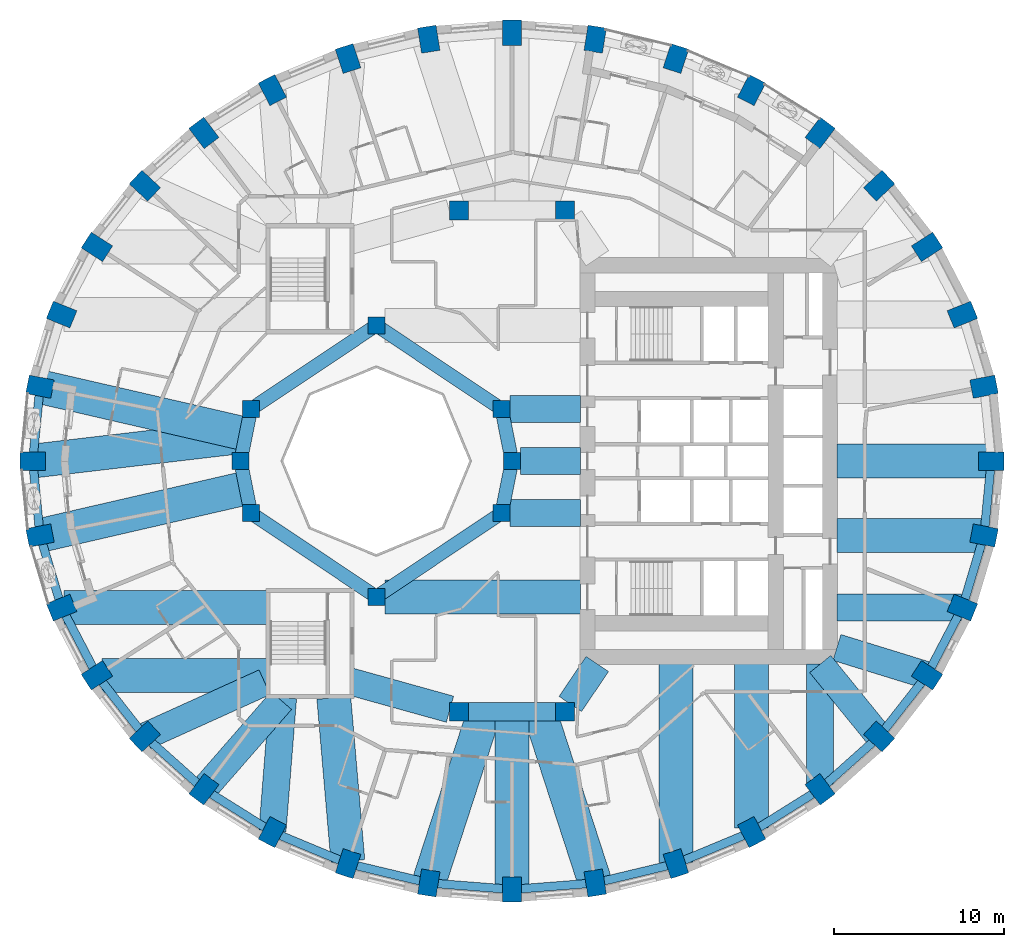
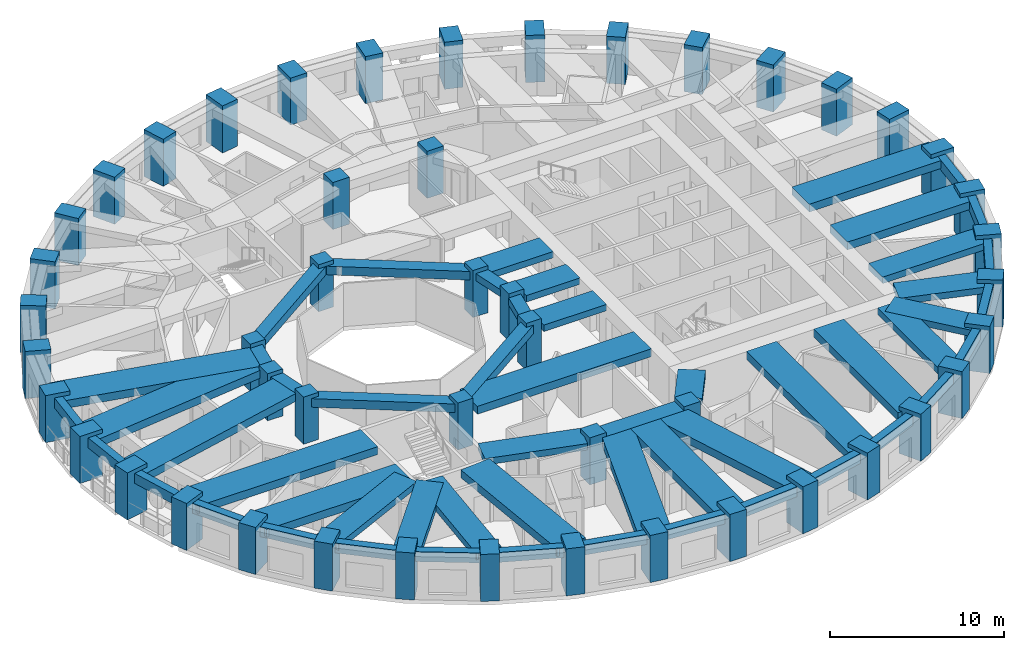
# One storey, part 1 of 13: 54 beams, 48 columns.
"""IFC4 building model written with IfcOpenShell, lengths in metres."""

from ifc_helpers import new_model, si_unit, direction, frame, origin, origin_2d, place, context, subcontext, project, spatial, rectangle, extrude, material, material_profile, profile_set, type_object, element, save


model = new_model("IFC4")

# Units and contexts
model_context = context("Model", 3, precision=1e-05, world=origin(), true_north=direction((0.0, 1.0)))
body_context = subcontext(model_context, "Body", "Model", "MODEL_VIEW")
ifc_project = project(units=[si_unit("LENGTHUNIT", "METRE"), si_unit("AREAUNIT", "SQUARE_METRE"), si_unit("VOLUMEUNIT", "CUBIC_METRE"), si_unit("PLANEANGLEUNIT", "RADIAN"), si_unit("MASSUNIT", "GRAM", prefix="KILO")], contexts=[model_context])

# Site, building, storey
site_placement = place(None, origin())
site = spatial("IfcSite", under=ifc_project, at=site_placement, CompositionType="ELEMENT")
building_placement = place(site_placement, origin())
building = spatial("IfcBuilding", under=site, at=building_placement, Name="Taillehof Tower", CompositionType="ELEMENT")
storey_placement = place(building_placement, frame((0.0, 0.0, 64.60009765625)))
storey = spatial("IfcBuildingStorey", under=building, at=storey_placement, Name="L17", CompositionType="ELEMENT", Elevation=64.60009765625)

# Columns
ifc_material_1 = material(Name="Concrete C50/60", Category="concrete")
ifc_material_profile_1 = material_profile(ifc_material_1, rectangle(XDim=1.0, YDim=1.0, at=origin_2d()), Name="RC 1000x1000")
ifc_profile_set_1 = profile_set([ifc_material_profile_1], Name="Concrete C50/60")
column_type_1 = type_object("IfcColumnType", Name="Atrium ring column C50/60 1000x1000", PredefinedType="COLUMN", material=ifc_profile_set_1)
for number, where, z_axis, x_axis, name in (
    (1, (0.0, 0.0, 0.0), (0.0, 0.0, 1.0), (1.0, 0.0, 0.0), "Column AC01"),
    (2, (-0.60888671875, 3.0615234375, 0.0), (0.0, 0.0, 1.0), (1.0, 0.0, 0.0), "Column AC02"),
    (3, (-8.0, 8.0, 0.0), (0.0, 0.0, 1.0), (1.0, 0.0, 0.0), "Column AC05"),
    (4, (-15.39111328125, 3.0615234375, 0.0), (0.0, 0.0, 1.0), (1.0, 0.0, 0.0), "Column AC08"),
    (5, (-16.0, 0.0, 0.0), (0.0, 0.0, 1.0), (1.0, 0.0, 0.0), "Column AC09"),
    (6, (-15.39111328125, -3.0615234375, 0.0), (0.0, 0.0, 1.0), (1.0, 0.0, 0.0), "Column AC10"),
    (7, (-8.0, -8.0, 0.0), (0.0, 0.0, 1.0), (1.0, 0.0, 0.0), "Column AC13"),
    (8, (-0.60888671875, -3.0615234375, 0.0), (0.0, 0.0, 1.0), (1.0, 0.0, 0.0), "Column AC16"),
):
    element("IfcColumn", number, at=place(storey_placement, frame(where, z_axis=z_axis, x_axis=x_axis)), inside=storey, type_object=column_type_1, Name=name, PredefinedType="COLUMN", context=body_context, shape_type="SweptSolid", body=[
        extrude(rectangle(XDim=1.0, YDim=1.0, at=origin_2d()), origin(), (0.0, 0.0, 1.0), 3.2998046875),
    ])
ifc_material_2 = material(Name="Concrete C50/60", Category="concrete")
ifc_material_profile_2 = material_profile(ifc_material_2, rectangle(XDim=1.10009765625, YDim=1.10009765625, at=origin_2d()), Name="RC 1100x1100")
ifc_profile_set_2 = profile_set([ifc_material_profile_2], Name="Concrete C50/60")
column_type_2 = type_object("IfcColumnType", Name="Mid-ring column C50/60 1100x1100", PredefinedType="COLUMN", material=ifc_profile_set_2)
for number, where, z_axis, x_axis, name in (
    (9, (3.125732421875, 14.772216796875, 0.0), (0.0, 0.0, 1.0), (1.0, 0.0, 0.0), "Column MC05"),
    (10, (3.125732421875, -14.772216796875, 0.0), (0.0, 0.0, 1.0), (1.0, 0.0, 0.0), "Column MC15"),
):
    element("IfcColumn", number, at=place(storey_placement, frame(where, z_axis=z_axis, x_axis=x_axis)), inside=storey, type_object=column_type_2, Name=name, PredefinedType="COLUMN", context=body_context, shape_type="SweptSolid", body=[
        extrude(rectangle(XDim=1.10009765625, YDim=1.10009765625, at=origin_2d()), origin(), (0.0, 0.0, 1.0), 3.2998046875),
    ])
ifc_material_3 = material(Name="Concrete C70/85", Category="concrete")
ifc_material_profile_3 = material_profile(ifc_material_3, rectangle(XDim=1.10009765625, YDim=1.10009765625, at=origin_2d()), Name="RC 1100x1100")
ifc_profile_set_3 = profile_set([ifc_material_profile_3], Name="Concrete C70/85")
column_type_3 = type_object("IfcColumnType", Name="Mid-ring column C70/85 1100x1100", PredefinedType="COLUMN", material=ifc_profile_set_3)
for number, where, z_axis, x_axis, name in (
    (11, (-3.125732421875, 14.772216796875, 0.0), (0.0, 0.0, 1.0), (1.0, 0.0, 0.0), "Column MC06"),
    (12, (-3.125732421875, -14.772216796875, 0.0), (0.0, 0.0, 1.0), (1.0, 0.0, 0.0), "Column MC14"),
):
    element("IfcColumn", number, at=place(storey_placement, frame(where, z_axis=z_axis, x_axis=x_axis)), inside=storey, type_object=column_type_3, Name=name, PredefinedType="COLUMN", context=body_context, shape_type="SweptSolid", body=[
        extrude(rectangle(XDim=1.10009765625, YDim=1.10009765625, at=origin_2d()), origin(), (0.0, 0.0, 1.0), 3.2998046875),
    ])
ifc_material_4 = material(Name="Concrete C70/85", Category="concrete")
ifc_material_profile_4 = material_profile(ifc_material_4, rectangle(XDim=1.5, YDim=1.10009765625, at=origin_2d()), Name="RC 1500x1100")
ifc_profile_set_4 = profile_set([ifc_material_profile_4], Name="Concrete C70/85")
column_type_4 = type_object("IfcColumnType", Name="Ring column C70/85 1500x1100", PredefinedType="COLUMN", material=ifc_profile_set_4)
for number, where, z_axis, x_axis, name in (
    (13, (28.25, 0.0, 0.0), (0.0, 0.0, 1.0), (1.0, 0.0, 0.0), "Ring column RC01"),
    (14, (27.82080078125, 4.384521484375, 0.0), (0.0, 0.0, 1.0), (0.98120354895, 0.192975634545, 0.0), "Ring column RC02"),
    (15, (26.54638671875, 8.635986328125, 0.0), (0.0, 0.0, 1.0), (0.926558045297, 0.37615181602, 0.0), "Ring column RC03"),
    (16, (24.46533203125, 12.625, 0.0), (0.0, 0.0, 1.0), (0.840753565229, 0.541417992456, 0.0), "Ring column RC04"),
    (17, (21.640869140625, 16.23046875, 0.0), (0.0, 0.0, 1.0), (0.730113022917, 0.683326403535, 0.0), "Ring column RC05"),
    (18, (18.15869140625, 19.342529296875, 0.0), (0.0, 0.0, 1.0), (0.601173783055, 0.79911831575, 0.0), "Ring column RC06"),
    (19, (14.125, 21.8671875, 0.0), (0.0, 0.0, 1.0), (0.459691308511, 0.888078769524, 0.0), "Ring column RC07"),
    (20, (9.662109375, 23.727294921875, 0.0), (0.0, 0.0, 1.0), (0.310219183529, 0.950665060981, 0.0), "Ring column RC08"),
    (21, (4.905517578125, 24.866455078125, 0.0), (0.0, 0.0, 1.0), (0.15614709407, 0.987733812833, 0.0), "Ring column RC09"),
    (22, (0.0, 25.25, 0.0), (0.0, 0.0, 1.0), (0.0, 1.0, 0.0), "Ring column RC10"),
    (23, (-4.905517578125, 24.866455078125, 0.0), (0.0, 0.0, 1.0), (-0.15614709407, 0.987733812833, 0.0), "Ring column RC11"),
    (24, (-9.662109375, 23.727294921875, 0.0), (0.0, 0.0, 1.0), (-0.310219183529, 0.950665060981, 0.0), "Ring column RC12"),
    (25, (-14.125, 21.8671875, 0.0), (0.0, 0.0, 1.0), (-0.459691308511, 0.888078769524, 0.0), "Ring column RC13"),
    (26, (-18.15869140625, 19.342529296875, 0.0), (0.0, 0.0, 1.0), (-0.601173783055, 0.79911831575, 0.0), "Ring column RC14"),
    (27, (-21.640869140625, 16.23046875, 0.0), (0.0, 0.0, 1.0), (-0.730113022917, 0.683326403535, 0.0), "Ring column RC15"),
    (28, (-24.46533203125, 12.625, 0.0), (0.0, 0.0, 1.0), (-0.840753565229, 0.541417992456, 0.0), "Ring column RC16"),
    (29, (-26.54638671875, 8.635986328125, 0.0), (0.0, 0.0, 1.0), (-0.926558045297, 0.37615181602, 0.0), "Ring column RC17"),
    (30, (-27.82080078125, 4.384521484375, 0.0), (0.0, 0.0, 1.0), (-0.98120354895, 0.192975634545, 0.0), "Ring column RC18"),
    (31, (-28.25, 0.0, 0.0), (0.0, 0.0, 1.0), (-1.0, 0.0, 0.0), "Ring column RC19"),
    (32, (-27.82080078125, -4.384521484375, 0.0), (0.0, 0.0, 1.0), (-0.98120354895, -0.192975634545, 0.0), "Ring column RC20"),
    (33, (-26.54638671875, -8.635986328125, 0.0), (0.0, 0.0, 1.0), (-0.926558045297, -0.37615181602, 0.0), "Ring column RC21"),
    (34, (-24.46533203125, -12.625, 0.0), (0.0, 0.0, 1.0), (-0.840753565229, -0.541417992456, 0.0), "Ring column RC22"),
    (35, (-21.640869140625, -16.23046875, 0.0), (0.0, 0.0, 1.0), (-0.730113022917, -0.683326403535, 0.0), "Ring column RC23"),
    (36, (-18.15869140625, -19.342529296875, 0.0), (0.0, 0.0, 1.0), (-0.601173783055, -0.79911831575, 0.0), "Ring column RC24"),
    (37, (-14.125, -21.8671875, 0.0), (0.0, 0.0, 1.0), (-0.459691308511, -0.888078769524, 0.0), "Ring column RC25"),
    (38, (-9.662109375, -23.727294921875, 0.0), (0.0, 0.0, 1.0), (-0.310219183529, -0.950665060981, 0.0), "Ring column RC26"),
    (39, (-4.905517578125, -24.866455078125, 0.0), (0.0, 0.0, 1.0), (-0.15614709407, -0.987733812833, 0.0), "Ring column RC27"),
    (40, (0.0, -25.25, 0.0), (0.0, 0.0, 1.0), (0.0, -1.0, 0.0), "Ring column RC28"),
    (41, (4.905517578125, -24.866455078125, 0.0), (0.0, 0.0, 1.0), (0.15614709407, -0.987733812833, 0.0), "Ring column RC29"),
    (42, (9.662109375, -23.727294921875, 0.0), (0.0, 0.0, 1.0), (0.310219183529, -0.950665060981, 0.0), "Ring column RC30"),
    (43, (14.125, -21.8671875, 0.0), (0.0, 0.0, 1.0), (0.459691308511, -0.888078769524, 0.0), "Ring column RC31"),
    (44, (18.15869140625, -19.342529296875, 0.0), (0.0, 0.0, 1.0), (0.601173783055, -0.79911831575, 0.0), "Ring column RC32"),
    (45, (21.640869140625, -16.23046875, 0.0), (0.0, 0.0, 1.0), (0.730113022917, -0.683326403535, 0.0), "Ring column RC33"),
    (46, (24.46533203125, -12.625, 0.0), (0.0, 0.0, 1.0), (0.840753565229, -0.541417992456, 0.0), "Ring column RC34"),
    (47, (26.54638671875, -8.635986328125, 0.0), (0.0, 0.0, 1.0), (0.926558045297, -0.37615181602, 0.0), "Ring column RC35"),
    (48, (27.82080078125, -4.384521484375, 0.0), (0.0, 0.0, 1.0), (0.98120354895, -0.192975634545, 0.0), "Ring column RC36"),
):
    element("IfcColumn", number, at=place(storey_placement, frame(where, z_axis=z_axis, x_axis=x_axis)), inside=storey, type_object=column_type_4, Name=name, PredefinedType="COLUMN", context=body_context, shape_type="SweptSolid", body=[
        extrude(rectangle(XDim=1.5, YDim=1.10009765625, at=origin_2d()), origin(), (0.0, 0.0, 1.0), 3.2998046875),
    ])

# Beams
ifc_material_5 = material(Name="Concrete C50/60", Category="concrete")
ifc_material_profile_5 = material_profile(ifc_material_5, rectangle(XDim=0.800048828125, YDim=0.5, at=origin_2d()), Name="RC 800x500")
ifc_profile_set_5 = profile_set([ifc_material_profile_5], Name="Concrete C50/60")
beam_type_1 = type_object("IfcBeamType", Name="Atrium ring beam C50/60 800x500", PredefinedType="BEAM", material=ifc_profile_set_5)
for number, where, z_axis, x_axis, name in (
    (49, (0.0, 0.0, 2.77001953125), (-0.195063155143, 0.980790683839, 0.0), (-0.980790683839, -0.195063155143, 0.0), "Atrium ring beam AB01"),
    (50, (-15.39111328125, 3.0615234375, 2.77001953125), (-0.195063155143, -0.980790683839, 0.0), (0.980790683839, -0.195063155143, 0.0), "Atrium ring beam AB04"),
    (51, (-16.0, 0.0, 2.77001953125), (0.195063155143, -0.980790683839, 0.0), (0.980790683839, 0.195063155143, 0.0), "Atrium ring beam AB05"),
    (52, (-0.60888671875, -3.0615234375, 2.77001953125), (0.195063155143, 0.980790683839, 0.0), (-0.980790683839, 0.195063155143, 0.0), "Atrium ring beam AB08"),
):
    element("IfcBeam", number, at=place(storey_placement, frame(where, z_axis=z_axis, x_axis=x_axis)), inside=storey, type_object=beam_type_1, Name=name, PredefinedType="BEAM", context=body_context, shape_type="SweptSolid", body=[
        extrude(rectangle(XDim=0.800048828125, YDim=0.5, at=origin_2d()), origin(), (0.0, 0.0, 1.0), 3.12158203125),
    ])
ifc_material_6 = material(Name="Concrete C50/60", Category="concrete")
ifc_material_profile_6 = material_profile(ifc_material_6, rectangle(XDim=0.800048828125, YDim=0.60009765625, at=origin_2d()), Name="RC 800x600")
ifc_profile_set_6 = profile_set([ifc_material_profile_6], Name="Concrete C50/60")
beam_type_2 = type_object("IfcBeamType", Name="Atrium ring beam C50/60 800x600", PredefinedType="BEAM", material=ifc_profile_set_6)
for number, where, z_axis, x_axis, name in (
    (53, (-0.60888671875, 3.0615234375, 2.719970703125), (-0.831475195687, 0.555561876804, 0.0), (-0.555561876804, -0.831475195687, 0.0), "Atrium ring beam AB02"),
    (54, (-8.0, 8.0, 2.719970703125), (-0.831475195687, -0.555561876804, 0.0), (0.555561876804, -0.831475195687, 0.0), "Atrium ring beam AB03"),
    (55, (-15.39111328125, -3.0615234375, 2.719970703125), (0.831475195687, -0.555561876804, 0.0), (0.555561876804, 0.831475195687, 0.0), "Atrium ring beam AB06"),
    (56, (-8.0, -8.0, 2.719970703125), (0.831475195687, 0.555561876804, 0.0), (-0.555561876804, 0.831475195687, 0.0), "Atrium ring beam AB07"),
):
    element("IfcBeam", number, at=place(storey_placement, frame(where, z_axis=z_axis, x_axis=x_axis)), inside=storey, type_object=beam_type_2, Name=name, PredefinedType="BEAM", context=body_context, shape_type="SweptSolid", body=[
        extrude(rectangle(XDim=0.800048828125, YDim=0.60009765625, at=origin_2d()), origin(), (0.0, 0.0, 1.0), 8.88916015625),
    ])
ifc_material_7 = material(Name="Concrete C50/60", Category="concrete")
ifc_material_profile_7 = material_profile(ifc_material_7, rectangle(XDim=1.10009765625, YDim=0.60009765625, at=origin_2d()), Name="RC 1100x600")
ifc_profile_set_7 = profile_set([ifc_material_profile_7], Name="Concrete C50/60")
beam_type_3 = type_object("IfcBeamType", Name="Mid-ring beam C50/60 1100x600", PredefinedType="BEAM", material=ifc_profile_set_7)
beam_1_placement = place(storey_placement, frame((-3.125732421875, -14.772216796875, 2.719970703125), z_axis=(1.0, 0.0, 0.0), x_axis=(0.0, 1.0, 0.0)))
element("IfcBeam", 57, at=beam_1_placement, inside=storey, type_object=beam_type_3, Name="Mid-ring beam MB02", PredefinedType="BEAM", context=body_context, shape_type="SweptSolid", body=[
    extrude(rectangle(XDim=1.10009765625, YDim=0.60009765625, at=origin_2d()), origin(), (0.0, 0.0, 1.0), 6.25146484375),
])
ifc_material_8 = material(Name="Concrete C50/60", Category="concrete")
ifc_material_profile_8 = material_profile(ifc_material_8, rectangle(XDim=1.60009765625, YDim=0.449951171875, at=origin_2d()), Name="RC 1600x450")
ifc_profile_set_8 = profile_set([ifc_material_profile_8], Name="Concrete C50/60")
beam_type_4 = type_object("IfcBeamType", Name="Radial band beam C50/60 1600x450", PredefinedType="BEAM", material=ifc_profile_set_8)
beam_2_placement = place(storey_placement, frame((-21.632568359375, -16.226806640625, 2.794921875), z_axis=(0.911100590789, 0.412184077161, 0.0), x_axis=(-0.412184077161, 0.911100590789, 0.0)))
element("IfcBeam", 58, at=beam_2_placement, inside=storey, type_object=beam_type_4, Name="Radial band beam RB23", PredefinedType="BEAM", context=body_context, shape_type="SweptSolid", body=[
    extrude(rectangle(XDim=1.60009765625, YDim=0.449951171875, at=origin_2d()), origin(), (0.0, 0.0, 1.0), 7.740966796875),
])
beam_3_placement = place(storey_placement, frame((-18.15869140625, -19.342529296875, 2.794921875), z_axis=(0.65721824087, 0.753700327628, 0.0), x_axis=(-0.753700327628, 0.65721824087, 0.0)))
element("IfcBeam", 59, at=beam_3_placement, inside=storey, type_object=beam_type_4, Name="Radial band beam RB24", PredefinedType="BEAM", context=body_context, shape_type="SweptSolid", body=[
    extrude(rectangle(XDim=1.60009765625, YDim=0.449951171875, at=origin_2d()), origin(), (0.0, 0.0, 1.0), 6.9384765625),
])
beam_4_placement = place(storey_placement, frame((-14.119873046875, -21.802978515625, 2.794921875), z_axis=(0.079184740988, 0.996859958467, 0.0), x_axis=(-0.996859958467, 0.079184740988, 0.0)))
element("IfcBeam", 60, at=beam_4_placement, inside=storey, type_object=beam_type_4, Name="Radial band beam RB25", PredefinedType="BEAM", context=body_context, shape_type="SweptSolid", body=[
    extrude(rectangle(XDim=1.60009765625, YDim=0.449951171875, at=origin_2d()), origin(), (0.0, 0.0, 1.0), 7.87744140625),
])
beam_5_placement = place(storey_placement, frame((18.15869140625, -19.05517578125, 2.794921875), z_axis=(0.0, 1.0, 0.0), x_axis=(-1.0, 0.0, 0.0)))
element("IfcBeam", 61, at=beam_5_placement, inside=storey, type_object=beam_type_4, Name="Radial band beam RB32", PredefinedType="BEAM", context=body_context, shape_type="SweptSolid", body=[
    extrude(rectangle(XDim=1.60009765625, YDim=0.449951171875, at=origin_2d()), origin(), (0.0, 0.0, 1.0), 7.105224609375),
])
beam_6_placement = place(storey_placement, frame((21.640869140625, -16.23046875, 2.794921875), z_axis=(-0.630988373846, 0.775792286679, 0.0), x_axis=(-0.775792286679, -0.630988373846, 0.0)))
element("IfcBeam", 62, at=beam_6_placement, inside=storey, type_object=beam_type_4, Name="Radial band beam RB33", PredefinedType="BEAM", context=body_context, shape_type="SweptSolid", body=[
    extrude(rectangle(XDim=1.60009765625, YDim=0.449951171875, at=origin_2d()), origin(), (0.0, 0.0, 1.0), 5.503173828125),
])
beam_7_placement = place(storey_placement, frame((24.46533203125, -12.625, 2.794921875), z_axis=(-0.955535654338, 0.294875589511, 0.0), x_axis=(-0.294875589511, -0.955535654338, 0.0)))
element("IfcBeam", 63, at=beam_7_placement, inside=storey, type_object=beam_type_4, Name="Radial band beam RB34", PredefinedType="BEAM", context=body_context, shape_type="SweptSolid", body=[
    extrude(rectangle(XDim=1.60009765625, YDim=0.449951171875, at=origin_2d()), origin(), (0.0, 0.0, 1.0), 5.560546875),
])
beam_8_placement = place(storey_placement, frame((26.490478515625, -8.635986328125, 2.794921875), z_axis=(-1.0, 0.0, 0.0), x_axis=(0.0, -1.0, 0.0)))
element("IfcBeam", 64, at=beam_8_placement, inside=storey, type_object=beam_type_4, Name="Radial band beam RB35", PredefinedType="BEAM", context=body_context, shape_type="SweptSolid", body=[
    extrude(rectangle(XDim=1.60009765625, YDim=0.449951171875, at=origin_2d()), origin(), (0.0, 0.0, 1.0), 7.340576171875),
])
beam_9_placement = place(storey_placement, frame((0.5, 0.0, 2.794921875), z_axis=(1.0, 0.0, 0.0), x_axis=(0.0, 1.0, 0.0)))
element("IfcBeam", 65, at=beam_9_placement, inside=storey, type_object=beam_type_4, Name="Inner band beam IB101", PredefinedType="BEAM", context=body_context, shape_type="SweptSolid", body=[
    extrude(rectangle(XDim=1.60009765625, YDim=0.449951171875, at=origin_2d()), origin(), (0.0, 0.0, 1.0), 3.550048828125),
])
for number, where, z_axis, x_axis, name in (
    (66, (-0.10888671875, 3.0615234375, 2.794921875), (1.0, 0.0, 0.0), (0.0, 1.0, 0.0), "Inner band beam IB102"),
    (67, (-0.10888671875, -3.0615234375, 2.794921875), (1.0, 0.0, 0.0), (0.0, 1.0, 0.0), "Inner band beam IB116"),
):
    element("IfcBeam", number, at=place(storey_placement, frame(where, z_axis=z_axis, x_axis=x_axis)), inside=storey, type_object=beam_type_4, Name=name, PredefinedType="BEAM", context=body_context, shape_type="SweptSolid", body=[
        extrude(rectangle(XDim=1.60009765625, YDim=0.449951171875, at=origin_2d()), origin(), (0.0, 0.0, 1.0), 4.158935546875),
    ])
beam_10_placement = place(storey_placement, frame((-3.655517578125, -14.624755859375, 2.794921875), z_axis=(-0.963459369536, 0.267854518821, 0.0), x_axis=(-0.267854518821, -0.963459369536, 0.0)))
element("IfcBeam", 68, at=beam_10_placement, inside=storey, type_object=beam_type_4, Name="Inner band beam IB214", PredefinedType="BEAM", context=body_context, shape_type="SweptSolid", body=[
    extrude(rectangle(XDim=1.60009765625, YDim=0.449951171875, at=origin_2d()), origin(), (0.0, 0.0, 1.0), 6.096923828125),
])
beam_11_placement = place(storey_placement, frame((3.433837890625, -14.31640625, 2.794921875), z_axis=(0.560112043398, 0.828416862962, 0.0), x_axis=(-0.828416862962, 0.560112043398, 0.0)))
element("IfcBeam", 69, at=beam_11_placement, inside=storey, type_object=beam_type_4, Name="Inner band beam IB215", PredefinedType="BEAM", context=body_context, shape_type="SweptSolid", body=[
    extrude(rectangle(XDim=1.60009765625, YDim=0.449951171875, at=origin_2d()), origin(), (0.0, 0.0, 1.0), 2.84619140625),
])
ifc_material_9 = material(Name="Concrete C50/60", Category="concrete")
ifc_material_profile_9 = material_profile(ifc_material_9, rectangle(XDim=2.0, YDim=0.550048828125, at=origin_2d()), Name="RC 2000x550")
ifc_profile_set_9 = profile_set([ifc_material_profile_9], Name="Concrete C50/60")
beam_type_5 = type_object("IfcBeamType", Name="Radial band beam C50/60 2000x550", PredefinedType="BEAM", material=ifc_profile_set_9)
beam_12_placement = place(storey_placement, frame((28.25, 0.0, 2.744873046875), z_axis=(-1.0, 0.0, 0.0), x_axis=(0.0, -1.0, 0.0)))
element("IfcBeam", 70, at=beam_12_placement, inside=storey, type_object=beam_type_5, Name="Radial band beam RB01", PredefinedType="BEAM", context=body_context, shape_type="SweptSolid", body=[
    extrude(rectangle(XDim=2.0, YDim=0.550048828125, at=origin_2d()), origin(), (0.0, 0.0, 1.0), 9.10009765625),
])
beam_13_placement = place(storey_placement, frame((-27.82080078125, 4.384521484375, 2.744873046875), z_axis=(0.974509005862, -0.2243483842, 0.0), x_axis=(0.2243483842, 0.974509005862, 0.0)))
element("IfcBeam", 71, at=beam_13_placement, inside=storey, type_object=beam_type_5, Name="Radial band beam RB18", PredefinedType="BEAM", context=body_context, shape_type="SweptSolid", body=[
    extrude(rectangle(XDim=2.0, YDim=0.550048828125, at=origin_2d()), origin(), (0.0, 0.0, 1.0), 12.45458984375),
])
beam_14_placement = place(storey_placement, frame((-28.25, 0.0, 2.744873046875), z_axis=(0.993191188018, 0.11649576835, 0.0), x_axis=(-0.11649576835, 0.993191188018, 0.0)))
element("IfcBeam", 72, at=beam_14_placement, inside=storey, type_object=beam_type_5, Name="Radial band beam RB19", PredefinedType="BEAM", context=body_context, shape_type="SweptSolid", body=[
    extrude(rectangle(XDim=2.0, YDim=0.550048828125, at=origin_2d()), origin(), (0.0, 0.0, 1.0), 12.628662109375),
])
beam_15_placement = place(storey_placement, frame((-27.82080078125, -4.384521484375, 2.744873046875), z_axis=(0.974509005862, 0.2243483842, 0.0), x_axis=(-0.2243483842, 0.974509005862, 0.0)))
element("IfcBeam", 73, at=beam_15_placement, inside=storey, type_object=beam_type_5, Name="Radial band beam RB20", PredefinedType="BEAM", context=body_context, shape_type="SweptSolid", body=[
    extrude(rectangle(XDim=2.0, YDim=0.550048828125, at=origin_2d()), origin(), (0.0, 0.0, 1.0), 12.45458984375),
])
beam_16_placement = place(storey_placement, frame((-26.408935546875, -8.635986328125, 2.744873046875), z_axis=(1.0, 0.0, 0.0), x_axis=(0.0, 1.0, 0.0)))
element("IfcBeam", 74, at=beam_16_placement, inside=storey, type_object=beam_type_5, Name="Radial band beam RB21", PredefinedType="BEAM", context=body_context, shape_type="SweptSolid", body=[
    extrude(rectangle(XDim=2.0, YDim=0.550048828125, at=origin_2d()), origin(), (0.0, 0.0, 1.0), 11.958984375),
])
beam_17_placement = place(storey_placement, frame((-24.172607421875, -12.625, 2.744873046875), z_axis=(1.0, 0.0, 0.0), x_axis=(0.0, 1.0, 0.0)))
element("IfcBeam", 75, at=beam_17_placement, inside=storey, type_object=beam_type_5, Name="Radial band beam RB22", PredefinedType="BEAM", context=body_context, shape_type="SweptSolid", body=[
    extrude(rectangle(XDim=2.0, YDim=0.550048828125, at=origin_2d()), origin(), (0.0, 0.0, 1.0), 9.72265625),
])
beam_18_placement = place(storey_placement, frame((-9.675048828125, -23.575927734375, 2.744873046875), z_axis=(-0.085841202752, 0.996308831593, 0.0), x_axis=(-0.996308831593, -0.085841202752, 0.0)))
element("IfcBeam", 76, at=beam_18_placement, inside=storey, type_object=beam_type_5, Name="Radial band beam RB26", PredefinedType="BEAM", context=body_context, shape_type="SweptSolid", body=[
    extrude(rectangle(XDim=2.0, YDim=0.550048828125, at=origin_2d()), origin(), (0.0, 0.0, 1.0), 9.661376953125),
])
beam_19_placement = place(storey_placement, frame((-4.905517578125, -24.866455078125, 2.744873046875), z_axis=(0.309014294595, 0.951057393503, 0.0), x_axis=(-0.951057393503, 0.309014294595, 0.0)))
element("IfcBeam", 77, at=beam_19_placement, inside=storey, type_object=beam_type_5, Name="Radial band beam RB27", PredefinedType="BEAM", context=body_context, shape_type="SweptSolid", body=[
    extrude(rectangle(XDim=2.0, YDim=0.550048828125, at=origin_2d()), origin(), (0.0, 0.0, 1.0), 10.61376953125),
])
beam_20_placement = place(storey_placement, frame((0.0, -25.25, 2.744873046875), z_axis=(0.0, 1.0, 0.0), x_axis=(-1.0, 0.0, 0.0)))
element("IfcBeam", 78, at=beam_20_placement, inside=storey, type_object=beam_type_5, Name="Radial band beam RB28", PredefinedType="BEAM", context=body_context, shape_type="SweptSolid", body=[
    extrude(rectangle(XDim=2.0, YDim=0.550048828125, at=origin_2d()), origin(), (0.0, 0.0, 1.0), 10.477783203125),
])
beam_21_placement = place(storey_placement, frame((4.905517578125, -24.866455078125, 2.744873046875), z_axis=(-0.309014294595, 0.951057393503, 0.0), x_axis=(-0.951057393503, -0.309014294595, 0.0)))
element("IfcBeam", 79, at=beam_21_placement, inside=storey, type_object=beam_type_5, Name="Radial band beam RB29", PredefinedType="BEAM", context=body_context, shape_type="SweptSolid", body=[
    extrude(rectangle(XDim=2.0, YDim=0.550048828125, at=origin_2d()), origin(), (0.0, 0.0, 1.0), 10.61376953125),
])
beam_22_placement = place(storey_placement, frame((9.662109375, -23.664794921875, 2.744873046875), z_axis=(0.0, 1.0, 0.0), x_axis=(-1.0, 0.0, 0.0)))
element("IfcBeam", 80, at=beam_22_placement, inside=storey, type_object=beam_type_5, Name="Radial band beam RB30", PredefinedType="BEAM", context=body_context, shape_type="SweptSolid", body=[
    extrude(rectangle(XDim=2.0, YDim=0.550048828125, at=origin_2d()), origin(), (0.0, 0.0, 1.0), 11.71484375),
])
beam_23_placement = place(storey_placement, frame((14.125, -21.63232421875, 2.744873046875), z_axis=(0.0, 1.0, 0.0), x_axis=(-1.0, 0.0, 0.0)))
element("IfcBeam", 81, at=beam_23_placement, inside=storey, type_object=beam_type_5, Name="Radial band beam RB31", PredefinedType="BEAM", context=body_context, shape_type="SweptSolid", body=[
    extrude(rectangle(XDim=2.0, YDim=0.550048828125, at=origin_2d()), origin(), (0.0, 0.0, 1.0), 9.682373046875),
])
beam_24_placement = place(storey_placement, frame((27.82080078125, -4.384521484375, 2.744873046875), z_axis=(-1.0, 0.0, 0.0), x_axis=(0.0, -1.0, 0.0)))
element("IfcBeam", 82, at=beam_24_placement, inside=storey, type_object=beam_type_5, Name="Radial band beam RB36", PredefinedType="BEAM", context=body_context, shape_type="SweptSolid", body=[
    extrude(rectangle(XDim=2.0, YDim=0.550048828125, at=origin_2d()), origin(), (0.0, 0.0, 1.0), 8.6708984375),
])
beam_25_placement = place(storey_placement, frame((-7.5, -8.0, 2.744873046875), z_axis=(1.0, 0.0, 0.0), x_axis=(0.0, 1.0, 0.0)))
element("IfcBeam", 83, at=beam_25_placement, inside=storey, type_object=beam_type_5, Name="Inner band beam IB113", PredefinedType="BEAM", context=body_context, shape_type="SweptSolid", body=[
    extrude(rectangle(XDim=2.0, YDim=0.550048828125, at=origin_2d()), origin(), (0.0, 0.0, 1.0), 11.550048828125),
])
ifc_material_10 = material(Name="Concrete C50/60", Category="concrete")
ifc_material_profile_10 = material_profile(ifc_material_10, rectangle(XDim=0.5, YDim=0.699951171875, at=origin_2d()), Name="RC 500x700")
ifc_profile_set_10 = profile_set([ifc_material_profile_10], Name="Concrete C50/60")
beam_type_6 = type_object("IfcBeamType", Name="Spandrel beam C50/60 500x700", PredefinedType="SPANDREL", material=ifc_profile_set_10)
for number, where, z_axis, x_axis, name in (
    (84, (-27.82080078125, 4.384521484375, 2.669921875), (-0.097423973567, -0.99524297002, 0.0), (0.99524297002, -0.097423973567, 0.0), "Spandrel beam SB18"),
    (85, (-28.25, 0.0, 2.669921875), (0.097423973567, -0.99524297002, 0.0), (0.99524297002, 0.097423973567, 0.0), "Spandrel beam SB19"),
):
    element("IfcBeam", number, at=place(storey_placement, frame(where, z_axis=z_axis, x_axis=x_axis)), inside=storey, type_object=beam_type_6, Name=name, PredefinedType="SPANDREL", context=body_context, shape_type="SweptSolid", body=[
        extrude(rectangle(XDim=0.5, YDim=0.699951171875, at=origin_2d()), origin(), (0.0, 0.0, 1.0), 4.405517578125),
    ])
beam_26_placement = place(storey_placement, frame((-27.82080078125, -4.384521484375, 2.669921875), z_axis=(0.287135925407, -0.957889847707, 0.0), x_axis=(0.957889847707, 0.287135925407, 0.0)))
element("IfcBeam", 86, at=beam_26_placement, inside=storey, type_object=beam_type_6, Name="Spandrel beam SB20", PredefinedType="SPANDREL", context=body_context, shape_type="SweptSolid", body=[
    extrude(rectangle(XDim=0.5, YDim=0.699951171875, at=origin_2d()), origin(), (0.0, 0.0, 1.0), 4.4384765625),
])
beam_27_placement = place(storey_placement, frame((-26.54638671875, -8.635986328125, 2.669921875), z_axis=(0.462536335232, -0.886600326297, 0.0), x_axis=(0.886600326297, 0.462536335232, 0.0)))
element("IfcBeam", 87, at=beam_27_placement, inside=storey, type_object=beam_type_6, Name="Spandrel beam SB21", PredefinedType="SPANDREL", context=body_context, shape_type="SweptSolid", body=[
    extrude(rectangle(XDim=0.5, YDim=0.699951171875, at=origin_2d()), origin(), (0.0, 0.0, 1.0), 4.499267578125),
])
beam_28_placement = place(storey_placement, frame((-24.46533203125, -12.625, 2.669921875), z_axis=(0.616686200373, -0.787209076593, 0.0), x_axis=(0.787209076593, 0.616686200373, 0.0)))
element("IfcBeam", 88, at=beam_28_placement, inside=storey, type_object=beam_type_6, Name="Spandrel beam SB22", PredefinedType="SPANDREL", context=body_context, shape_type="SweptSolid", body=[
    extrude(rectangle(XDim=0.5, YDim=0.699951171875, at=origin_2d()), origin(), (0.0, 0.0, 1.0), 4.580078125),
])
beam_29_placement = place(storey_placement, frame((-21.640869140625, -16.23046875, 2.669921875), z_axis=(0.745621283614, -0.666369943366, 0.0), x_axis=(0.666369943366, 0.745621283614, 0.0)))
element("IfcBeam", 89, at=beam_29_placement, inside=storey, type_object=beam_type_6, Name="Spandrel beam SB23", PredefinedType="SPANDREL", context=body_context, shape_type="SweptSolid", body=[
    extrude(rectangle(XDim=0.5, YDim=0.699951171875, at=origin_2d()), origin(), (0.0, 0.0, 1.0), 4.670166015625),
])
beam_30_placement = place(storey_placement, frame((-18.15869140625, -19.342529296875, 2.669921875), z_axis=(0.847658018883, -0.530543007703, 0.0), x_axis=(0.530543007703, 0.847658018883, 0.0)))
element("IfcBeam", 90, at=beam_30_placement, inside=storey, type_object=beam_type_6, Name="Spandrel beam SB24", PredefinedType="SPANDREL", context=body_context, shape_type="SweptSolid", body=[
    extrude(rectangle(XDim=0.5, YDim=0.699951171875, at=origin_2d()), origin(), (0.0, 0.0, 1.0), 4.758544921875),
])
beam_31_placement = place(storey_placement, frame((-14.125, -21.8671875, 2.669921875), z_axis=(0.923035088053, -0.384715773297, 0.0), x_axis=(0.384715773297, 0.923035088053, 0.0)))
element("IfcBeam", 91, at=beam_31_placement, inside=storey, type_object=beam_type_6, Name="Spandrel beam SB25", PredefinedType="SPANDREL", context=body_context, shape_type="SweptSolid", body=[
    extrude(rectangle(XDim=0.5, YDim=0.699951171875, at=origin_2d()), origin(), (0.0, 0.0, 1.0), 4.8349609375),
])
beam_32_placement = place(storey_placement, frame((-9.662109375, -23.727294921875, 2.669921875), z_axis=(0.9724995553, -0.232904733616, 0.0), x_axis=(0.232904733616, 0.9724995553, 0.0)))
element("IfcBeam", 92, at=beam_32_placement, inside=storey, type_object=beam_type_6, Name="Spandrel beam SB26", PredefinedType="SPANDREL", context=body_context, shape_type="SweptSolid", body=[
    extrude(rectangle(XDim=0.5, YDim=0.699951171875, at=origin_2d()), origin(), (0.0, 0.0, 1.0), 4.89111328125),
])
for number, where, z_axis, x_axis, name in (
    (93, (-4.905517578125, -24.866455078125, 2.669921875), (0.996957383661, -0.077948541767, 0.0), (0.077948541767, 0.996957383661, 0.0), "Spandrel beam SB27"),
    (94, (0.0, -25.25, 2.669921875), (0.996957383661, 0.077948541767, 0.0), (-0.077948541767, 0.996957383661, 0.0), "Spandrel beam SB28"),
):
    element("IfcBeam", number, at=place(storey_placement, frame(where, z_axis=z_axis, x_axis=x_axis)), inside=storey, type_object=beam_type_6, Name=name, PredefinedType="SPANDREL", context=body_context, shape_type="SweptSolid", body=[
        extrude(rectangle(XDim=0.5, YDim=0.699951171875, at=origin_2d()), origin(), (0.0, 0.0, 1.0), 4.92041015625),
    ])
beam_33_placement = place(storey_placement, frame((4.905517578125, -24.866455078125, 2.669921875), z_axis=(0.9724995553, 0.232904733616, 0.0), x_axis=(-0.232904733616, 0.9724995553, 0.0)))
element("IfcBeam", 95, at=beam_33_placement, inside=storey, type_object=beam_type_6, Name="Spandrel beam SB29", PredefinedType="SPANDREL", context=body_context, shape_type="SweptSolid", body=[
    extrude(rectangle(XDim=0.5, YDim=0.699951171875, at=origin_2d()), origin(), (0.0, 0.0, 1.0), 4.89111328125),
])
beam_34_placement = place(storey_placement, frame((9.662109375, -23.727294921875, 2.669921875), z_axis=(0.923035088053, 0.384715773297, 0.0), x_axis=(-0.384715773297, 0.923035088053, 0.0)))
element("IfcBeam", 96, at=beam_34_placement, inside=storey, type_object=beam_type_6, Name="Spandrel beam SB30", PredefinedType="SPANDREL", context=body_context, shape_type="SweptSolid", body=[
    extrude(rectangle(XDim=0.5, YDim=0.699951171875, at=origin_2d()), origin(), (0.0, 0.0, 1.0), 4.8349609375),
])
beam_35_placement = place(storey_placement, frame((14.125, -21.8671875, 2.669921875), z_axis=(0.847658018883, 0.530543007703, 0.0), x_axis=(-0.530543007703, 0.847658018883, 0.0)))
element("IfcBeam", 97, at=beam_35_placement, inside=storey, type_object=beam_type_6, Name="Spandrel beam SB31", PredefinedType="SPANDREL", context=body_context, shape_type="SweptSolid", body=[
    extrude(rectangle(XDim=0.5, YDim=0.699951171875, at=origin_2d()), origin(), (0.0, 0.0, 1.0), 4.758544921875),
])
beam_36_placement = place(storey_placement, frame((18.15869140625, -19.342529296875, 2.669921875), z_axis=(0.745621283614, 0.666369943366, 0.0), x_axis=(-0.666369943366, 0.745621283614, 0.0)))
element("IfcBeam", 98, at=beam_36_placement, inside=storey, type_object=beam_type_6, Name="Spandrel beam SB32", PredefinedType="SPANDREL", context=body_context, shape_type="SweptSolid", body=[
    extrude(rectangle(XDim=0.5, YDim=0.699951171875, at=origin_2d()), origin(), (0.0, 0.0, 1.0), 4.670166015625),
])
beam_37_placement = place(storey_placement, frame((21.640869140625, -16.23046875, 2.669921875), z_axis=(0.616686200373, 0.787209076593, 0.0), x_axis=(-0.787209076593, 0.616686200373, 0.0)))
element("IfcBeam", 99, at=beam_37_placement, inside=storey, type_object=beam_type_6, Name="Spandrel beam SB33", PredefinedType="SPANDREL", context=body_context, shape_type="SweptSolid", body=[
    extrude(rectangle(XDim=0.5, YDim=0.699951171875, at=origin_2d()), origin(), (0.0, 0.0, 1.0), 4.580078125),
])
beam_38_placement = place(storey_placement, frame((24.46533203125, -12.625, 2.669921875), z_axis=(0.462536335232, 0.886600326297, 0.0), x_axis=(-0.886600326297, 0.462536335232, 0.0)))
element("IfcBeam", 100, at=beam_38_placement, inside=storey, type_object=beam_type_6, Name="Spandrel beam SB34", PredefinedType="SPANDREL", context=body_context, shape_type="SweptSolid", body=[
    extrude(rectangle(XDim=0.5, YDim=0.699951171875, at=origin_2d()), origin(), (0.0, 0.0, 1.0), 4.499267578125),
])
beam_39_placement = place(storey_placement, frame((26.54638671875, -8.635986328125, 2.669921875), z_axis=(0.287135925407, 0.957889847707, 0.0), x_axis=(-0.957889847707, 0.287135925407, 0.0)))
element("IfcBeam", 101, at=beam_39_placement, inside=storey, type_object=beam_type_6, Name="Spandrel beam SB35", PredefinedType="SPANDREL", context=body_context, shape_type="SweptSolid", body=[
    extrude(rectangle(XDim=0.5, YDim=0.699951171875, at=origin_2d()), origin(), (0.0, 0.0, 1.0), 4.4384765625),
])
beam_40_placement = place(storey_placement, frame((27.82080078125, -4.384521484375, 2.669921875), z_axis=(0.097423973567, 0.99524297002, 0.0), x_axis=(-0.99524297002, 0.097423973567, 0.0)))
element("IfcBeam", 102, at=beam_40_placement, inside=storey, type_object=beam_type_6, Name="Spandrel beam SB36", PredefinedType="SPANDREL", context=body_context, shape_type="SweptSolid", body=[
    extrude(rectangle(XDim=0.5, YDim=0.699951171875, at=origin_2d()), origin(), (0.0, 0.0, 1.0), 4.405517578125),
])

save(model, "model.ifc")
